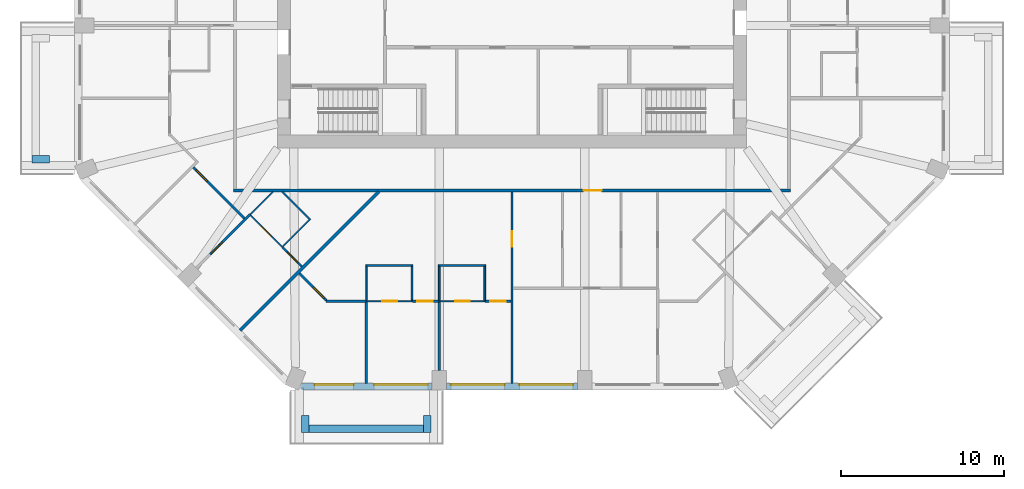
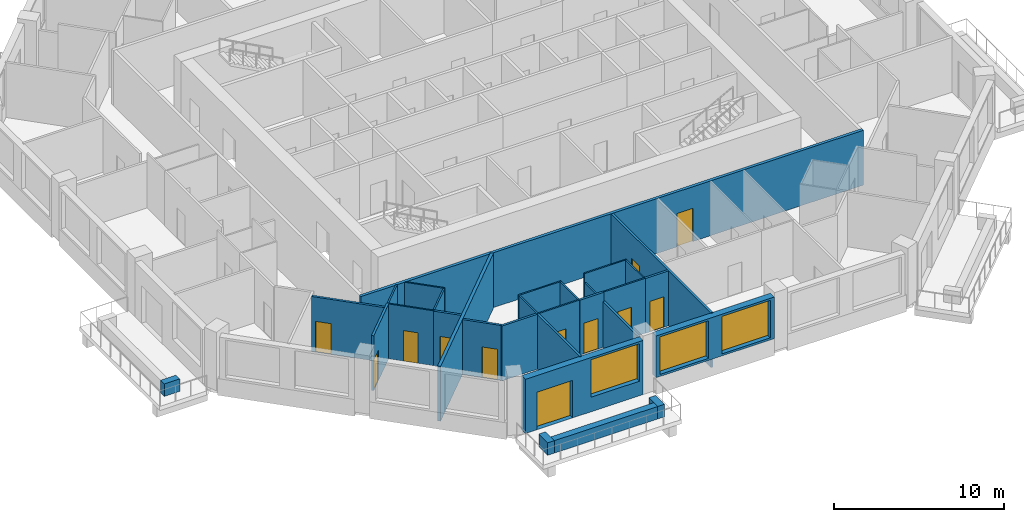
# One storey, part 3 of 12: 30 walls, 12 doors, 3 windows, 15 openings.
"""IFC4 building model written with IfcOpenShell, lengths in metres."""

from ifc_helpers import new_model, si_unit, direction, frame, frame_2d, origin, place, context, subcontext, project, spatial, rectangle, extrude, material, layer, layer_set, type_object, element, fill, save


model = new_model("IFC4")

# Units and contexts
model_context = context("Model", 3, precision=1e-05, world=origin(), true_north=direction((0.0, 1.0)))
body_context = subcontext(model_context, "Body", "Model", "MODEL_VIEW")
ifc_project = project(units=[si_unit("LENGTHUNIT", "METRE"), si_unit("AREAUNIT", "SQUARE_METRE"), si_unit("VOLUMEUNIT", "CUBIC_METRE"), si_unit("PLANEANGLEUNIT", "RADIAN"), si_unit("MASSUNIT", "GRAM", prefix="KILO")], contexts=[model_context])

# Site, building, storey
site_placement = place(None, origin())
site = spatial("IfcSite", under=ifc_project, at=site_placement, CompositionType="ELEMENT")
building_placement = place(site_placement, origin())
building = spatial("IfcBuilding", under=site, at=building_placement, Name="Msitu Wima Residences", CompositionType="ELEMENT")
storey_placement = place(building_placement, frame((0.0, 0.0, 119.10009765625)))
storey = spatial("IfcBuildingStorey", under=building, at=storey_placement, Name="L27", CompositionType="ELEMENT", Elevation=119.10009765625)

# Walls
ifc_material_1 = material(Name="Facing brick")
ifc_layer_1 = layer(ifc_material_1, 0.06494140625, Name="Facing brick")
ifc_material_2 = material(Name="Concrete C40/50", Category="concrete")
ifc_layer_2 = layer(ifc_material_2, 0.156005859375, Name="Concrete C40/50")
ifc_material_3 = material(Name="Waterproofing membrane")
ifc_layer_3 = layer(ifc_material_3, 0.00390625, Name="Waterproofing membrane")
ifc_material_4 = material(Name="Planting soil and planting")
ifc_layer_4 = layer(ifc_material_4, 0.22509765625, Name="Planting soil and planting")
ifc_layer_set_1 = layer_set([ifc_layer_1, ifc_layer_2, ifc_layer_3, ifc_layer_4], Name="Concrete C40/50")
wall_type_1 = type_object("IfcWallType", Name="Balcony planter PLANTER PL450", PredefinedType="USERDEFINED", material=ifc_layer_set_1)
wall_1_placement = place(storey_placement, frame((-28.39990234375, -12.680908203125, 0.0), z_axis=(0.0, 0.0, 1.0), x_axis=(-1.0, 0.0, 0.0)))
element("IfcWall", 1, at=wall_1_placement, inside=storey, type_object=wall_type_1, Name="Balcony planter W2 L27", ObjectType="PLANTER", PredefinedType="USERDEFINED", context=body_context, shape_type="SweptSolid", body=[
    extrude(rectangle(XDim=1.050048828125, YDim=0.449951171875, at=frame_2d((0.52490234375, 0.0))), origin(), (0.0, 0.0, 1.0), 0.89990234375),
])
wall_2_placement = place(storey_placement, frame((-12.455810546875, -29.22509765625, 0.0), z_axis=(0.0, 0.0, 1.0), x_axis=(1.0, 0.0, 0.0)))
element("IfcWall", 2, at=wall_2_placement, inside=storey, type_object=wall_type_1, Name="Balcony planter S0 L27", ObjectType="PLANTER", PredefinedType="USERDEFINED", context=body_context, shape_type="SweptSolid", body=[
    extrude(rectangle(XDim=7.037109375, YDim=0.449951171875, at=frame_2d((3.5185546875, 0.0))), origin(), (0.0, 0.0, 1.0), 0.89990234375),
])
for number, where, z_axis, x_axis, name in (
    (3, (-12.680908203125, -28.39990234375, 0.0), (0.0, 0.0, 1.0), (0.0, -1.0, 0.0), "Balcony planter S0 L27"),
    (4, (-5.193603515625, -28.39990234375, 0.0), (0.0, 0.0, 1.0), (0.0, -1.0, 0.0), "Balcony planter S0 L27"),
):
    element("IfcWall", number, at=place(storey_placement, frame(where, z_axis=z_axis, x_axis=x_axis)), inside=storey, type_object=wall_type_1, Name=name, ObjectType="PLANTER", PredefinedType="USERDEFINED", context=body_context, shape_type="SweptSolid", body=[
        extrude(rectangle(XDim=1.050048828125, YDim=0.449951171875, at=frame_2d((0.52490234375, 0.0))), origin(), (0.0, 0.0, 1.0), 0.89990234375),
    ])

# Wall, openings, door, window
ifc_material_5 = material(Name="Brick (red buff mix)", Category="masonry")
ifc_layer_5 = layer(ifc_material_5, 0.449951171875)
ifc_layer_set_2 = layer_set([ifc_layer_5], Name="Brick (red buff mix)")
wall_type_2 = type_object("IfcWallType", Name="Brick infill wall BW450", PredefinedType="SOLIDWALL", material=ifc_layer_set_2)
wall_3_placement = place(storey_placement, frame((-12.918701171875, -26.625, 0.0), z_axis=(0.0, 0.0, 1.0), x_axis=(1.0, 0.0, 0.0)))
wall_3 = element("IfcWall", 5, at=wall_3_placement, inside=storey, type_object=wall_type_2, Name="Brick infill wall L27 S0", PredefinedType="SOLIDWALL", context=body_context, shape_type="SweptSolid", body=[
    extrude(rectangle(XDim=8.0, YDim=0.449951171875, at=frame_2d((4.0, 0.0))), origin(), (0.0, 0.0, 1.0), 3.89990234375),
])
opening_1_placement = place(wall_3_placement, frame((0.800048828125, 0.0, 0.0)))
opening_1 = element("IfcOpeningElement", 6, at=opening_1_placement, cuts=wall_3, Name="Opening D27-29.005", PredefinedType="OPENING", context=body_context, shape_type="SweptSolid", body=[
    extrude(rectangle(XDim=2.39990234375, YDim=2.699951171875, at=frame_2d((1.199951171875, 1.35009765625))), frame((0.0, 0.23486328125, 0.0), z_axis=(0.0, -1.0, 0.0), x_axis=(1.0, 0.0, 0.0)), (0.0, 0.0, 1.0), 0.469970703125),
])
opening_2_placement = place(wall_3_placement, frame((4.4501953125, 0.0, 1.050048828125)))
opening_2 = element("IfcOpeningElement", 7, at=opening_2_placement, cuts=wall_3, Name="Opening W27-29.017", PredefinedType="OPENING", context=body_context, shape_type="SweptSolid", body=[
    extrude(rectangle(XDim=3.300048828125, YDim=2.699951171875, at=frame_2d((1.64990234375, 1.35009765625))), frame((0.0, 0.23486328125, 0.0), z_axis=(0.0, -1.0, 0.0), x_axis=(1.0, 0.0, 0.0)), (0.0, 0.0, 1.0), 0.469970703125),
])
ifc_material_6 = material(Name="Anodised aluminium, bronze finish, clear low-emissivity double glazing", Category="aluminium")
door_type_1 = type_object("IfcDoorType", Name="Balcony door D2400x2700", OperationType="SLIDING_TO_LEFT", PredefinedType="DOOR", material=ifc_material_6)
door_1_placement = place(opening_1_placement, origin())
door_1 = element("IfcDoor", 8, at=door_1_placement, inside=storey, type_object=door_type_1, Name="Balcony door L27 S0", OperationType="SINGLE_SWING_LEFT", OverallHeight=2.699951171875, OverallWidth=2.39990234375, PredefinedType="DOOR", context=body_context, shape_type="SweptSolid", body=[
    extrude(rectangle(XDim=2.39990234375, YDim=2.699951171875, at=frame_2d((1.199951171875, 1.35009765625))), frame((0.0, 0.1298828125, 0.0), z_axis=(0.0, -1.0, 0.0), x_axis=(1.0, 0.0, 0.0)), (0.0, 0.0, 1.0), 0.050048828125),
])
fill(opening_1, door_1)
window_type = type_object("IfcWindowType", Name="Window W3300x2700", PartitioningType="DOUBLE_PANEL_VERTICAL", PredefinedType="WINDOW", material=ifc_material_6)
window_1_placement = place(opening_2_placement, origin())
window_1 = element("IfcWindow", 9, at=window_1_placement, inside=storey, type_object=window_type, Name="Window L27 S0.2", OverallHeight=2.699951171875, OverallWidth=3.300048828125, PartitioningType="SINGLE_PANEL", PredefinedType="WINDOW", context=body_context, shape_type="SweptSolid", body=[
    extrude(rectangle(XDim=3.300048828125, YDim=2.699951171875, at=frame_2d((1.64990234375, 1.35009765625))), frame((0.0, 0.135009765625, 0.0), z_axis=(0.0, -1.0, 0.0), x_axis=(1.0, 0.0, 0.0)), (0.0, 0.0, 1.0), 0.06005859375),
])
fill(opening_2, window_1)

# Wall, openings, windows
wall_4_placement = place(storey_placement, frame((-4.0185546875, -26.625, 0.89990234375), z_axis=(0.0, 0.0, 1.0), x_axis=(1.0, 0.0, 0.0)))
wall_4 = element("IfcWall", 10, at=wall_4_placement, inside=storey, type_object=wall_type_2, Name="Brick infill wall L27 S1", PredefinedType="SOLIDWALL", context=body_context, shape_type="SweptSolid", body=[
    extrude(rectangle(XDim=8.037109375, YDim=0.449951171875, at=frame_2d((4.0185546875, 0.0))), origin(), (0.0, 0.0, 1.0), 3.0),
])
opening_3_placement = place(wall_4_placement, frame((0.2685546875, 0.0, 0.14990234375)))
opening_3 = element("IfcOpeningElement", 11, at=opening_3_placement, cuts=wall_4, Name="Opening W27-29.018", PredefinedType="OPENING", context=body_context, shape_type="SweptSolid", body=[
    extrude(rectangle(XDim=3.300048828125, YDim=2.699951171875, at=frame_2d((1.64990234375, 1.35009765625))), frame((0.0, 0.23486328125, 0.0), z_axis=(0.0, -1.0, 0.0), x_axis=(1.0, 0.0, 0.0)), (0.0, 0.0, 1.0), 0.469970703125),
])
opening_4_placement = place(wall_4_placement, frame((4.46875, 0.0, 0.14990234375)))
opening_4 = element("IfcOpeningElement", 12, at=opening_4_placement, cuts=wall_4, Name="Opening W27-29.019", PredefinedType="OPENING", context=body_context, shape_type="SweptSolid", body=[
    extrude(rectangle(XDim=3.300048828125, YDim=2.699951171875, at=frame_2d((1.64990234375, 1.35009765625))), frame((0.0, 0.23486328125, 0.0), z_axis=(0.0, -1.0, 0.0), x_axis=(1.0, 0.0, 0.0)), (0.0, 0.0, 1.0), 0.469970703125),
])
window_2_placement = place(opening_3_placement, origin())
window_2 = element("IfcWindow", 13, at=window_2_placement, inside=storey, type_object=window_type, Name="Window L27 S1.1", OverallHeight=2.699951171875, OverallWidth=3.300048828125, PartitioningType="SINGLE_PANEL", PredefinedType="WINDOW", context=body_context, shape_type="SweptSolid", body=[
    extrude(rectangle(XDim=3.300048828125, YDim=2.699951171875, at=frame_2d((1.64990234375, 1.35009765625))), frame((0.0, 0.135009765625, 0.0), z_axis=(0.0, -1.0, 0.0), x_axis=(1.0, 0.0, 0.0)), (0.0, 0.0, 1.0), 0.06005859375),
])
fill(opening_3, window_2)
window_3_placement = place(opening_4_placement, origin())
window_3 = element("IfcWindow", 14, at=window_3_placement, inside=storey, type_object=window_type, Name="Window L27 S1.2", OverallHeight=2.699951171875, OverallWidth=3.300048828125, PartitioningType="SINGLE_PANEL", PredefinedType="WINDOW", context=body_context, shape_type="SweptSolid", body=[
    extrude(rectangle(XDim=3.300048828125, YDim=2.699951171875, at=frame_2d((1.64990234375, 1.35009765625))), frame((0.0, 0.135009765625, 0.0), z_axis=(0.0, -1.0, 0.0), x_axis=(1.0, 0.0, 0.0)), (0.0, 0.0, 1.0), 0.06005859375),
])
fill(opening_4, window_3)

# Wall, opening, door
ifc_material_7 = material(Name="Plaster")
ifc_layer_6 = layer(ifc_material_7, 0.011962890625, Name="Plaster")
ifc_material_8 = material(Name="Concrete blockwork", Category="masonry")
ifc_layer_7 = layer(ifc_material_8, 0.176025390625, Name="Concrete blockwork")
ifc_layer_8 = layer(ifc_material_7, 0.011962890625, Name="Plaster")
ifc_layer_set_3 = layer_set([ifc_layer_6, ifc_layer_7, ifc_layer_8], Name="Concrete blockwork")
wall_type_3 = type_object("IfcWallType", Name="Corridor wall FW200", PredefinedType="PARTITIONING", material=ifc_layer_set_3)
wall_5_placement = place(storey_placement, frame((-17.10009765625, -14.60009765625, 0.0), z_axis=(0.0, 0.0, 1.0), x_axis=(1.0, 0.0, 0.0)))
wall_5 = element("IfcWall", 15, at=wall_5_placement, inside=storey, type_object=wall_type_3, Name="Corridor wall", PredefinedType="PARTITIONING", context=body_context, shape_type="SweptSolid", body=[
    extrude(rectangle(XDim=34.2001953125, YDim=0.199951171875, at=frame_2d((17.10009765625, 0.0))), origin(), (0.0, 0.0, 1.0), 3.949951171875),
])
opening_5_placement = place(wall_5_placement, frame((21.5, 0.0, 0.0)))
opening_5 = element("IfcOpeningElement", 16, at=opening_5_placement, cuts=wall_5, Name="Opening D27-29.010", PredefinedType="OPENING", context=body_context, shape_type="SweptSolid", body=[
    extrude(rectangle(XDim=1.10009765625, YDim=2.39990234375, at=frame_2d((0.550048828125, 1.199951171875))), frame((0.0, 0.10986328125, 0.0), z_axis=(0.0, -1.0, 0.0), x_axis=(1.0, 0.0, 0.0)), (0.0, 0.0, 1.0), 0.219970703125),
])
ifc_material_9 = material(Name="Timber flush door, fire resisting, self-closing", Category="wood")
door_type_2 = type_object("IfcDoorType", Name="Flat entrance door D01 1100x2400", OperationType="SINGLE_SWING_LEFT", PredefinedType="DOOR", material=ifc_material_9)
door_2_placement = place(opening_5_placement, origin())
door_2 = element("IfcDoor", 17, at=door_2_placement, inside=storey, type_object=door_type_2, Name="Flat entrance door", OperationType="SINGLE_SWING_LEFT", OverallHeight=2.39990234375, OverallWidth=1.10009765625, PredefinedType="DOOR", context=body_context, shape_type="SweptSolid", body=[
    extrude(rectangle(XDim=1.10009765625, YDim=2.39990234375, at=frame_2d((0.550048828125, 1.199951171875))), frame((0.0, 0.02490234375, 0.0), z_axis=(0.0, -1.0, 0.0), x_axis=(1.0, 0.0, 0.0)), (0.0, 0.0, 1.0), 0.050048828125),
])
fill(opening_5, door_2)

ifc_layer_9 = layer(ifc_material_7, 0.011962890625, Name="Plaster")
ifc_layer_10 = layer(ifc_material_8, 0.1259765625, Name="Concrete blockwork")
ifc_layer_11 = layer(ifc_material_7, 0.011962890625, Name="Plaster")
ifc_layer_set_4 = layer_set([ifc_layer_9, ifc_layer_10, ifc_layer_11], Name="Concrete blockwork")
wall_type_4 = type_object("IfcWallType", Name="Partition PW150", PredefinedType="PARTITIONING", material=ifc_layer_set_4)
wall_6_placement = place(storey_placement, frame((-18.517578125, -18.517578125, 0.0), z_axis=(0.0, 0.0, 1.0), x_axis=(0.707106781187, 0.707106781187, 0.0)))
wall_6 = element("IfcWall", 18, at=wall_6_placement, inside=storey, type_object=wall_type_4, Name="Partition", PredefinedType="PARTITIONING", context=body_context, shape_type="SweptSolid", body=[
    extrude(rectangle(XDim=3.4609375, YDim=0.14990234375, at=frame_2d((1.73046875, 0.0))), origin(), (0.0, 0.0, 1.0), 3.949951171875),
])
opening_6_placement = place(wall_6_placement, frame((0.0908203125, 0.0, 0.0)))
opening_6 = element("IfcOpeningElement", 19, at=opening_6_placement, cuts=wall_6, Name="Opening D27-29.065", PredefinedType="OPENING", context=body_context, shape_type="SweptSolid", body=[
    extrude(rectangle(XDim=0.949951171875, YDim=2.199951171875, at=frame_2d((0.47509765625, 1.10009765625))), frame((0.0, 0.0849609375, 0.0), z_axis=(0.0, -1.0, 0.0), x_axis=(1.0, 0.0, 0.0)), (0.0, 0.0, 1.0), 0.169921875),
])
ifc_material_10 = material(Name="Timber flush door", Category="wood")
door_type_3 = type_object("IfcDoorType", Name="Room door D12 950x2200", OperationType="SINGLE_SWING_LEFT", PredefinedType="DOOR", material=ifc_material_10)
door_3_placement = place(opening_6_placement, origin())
door_3 = element("IfcDoor", 20, at=door_3_placement, inside=storey, type_object=door_type_3, Name="Room door", OperationType="SINGLE_SWING_RIGHT", OverallHeight=2.199951171875, OverallWidth=0.949951171875, PredefinedType="DOOR", context=body_context, shape_type="SweptSolid", body=[
    extrude(rectangle(XDim=0.949951171875, YDim=2.199951171875, at=frame_2d((0.47509765625, 1.10009765625))), frame((0.0, 0.02490234375, 0.0), z_axis=(0.0, -1.0, 0.0), x_axis=(1.0, 0.0, 0.0)), (0.0, 0.0, 1.0), 0.050048828125),
])
fill(opening_6, door_3)

wall_7_placement = place(storey_placement, frame((-19.56298828125, -13.171875, 0.0), z_axis=(0.0, 0.0, 1.0), x_axis=(0.707106781187, -0.707106781187, 0.0)))
wall_7 = element("IfcWall", 21, at=wall_7_placement, inside=storey, type_object=wall_type_4, Name="Partition", PredefinedType="PARTITIONING", context=body_context, shape_type="SweptSolid", body=[
    extrude(rectangle(XDim=4.4443359375, YDim=0.14990234375, at=frame_2d((2.22216796875, 0.0))), origin(), (0.0, 0.0, 1.0), 3.949951171875),
])
opening_7_placement = place(wall_7_placement, frame((0.25, 0.0, 0.0)))
opening_7 = element("IfcOpeningElement", 22, at=opening_7_placement, cuts=wall_7, Name="Opening D27-29.062", PredefinedType="OPENING", context=body_context, shape_type="SweptSolid", body=[
    extrude(rectangle(XDim=0.949951171875, YDim=2.199951171875, at=frame_2d((0.47509765625, 1.10009765625))), frame((0.0, 0.0849609375, 0.0), z_axis=(0.0, -1.0, 0.0), x_axis=(1.0, 0.0, 0.0)), (0.0, 0.0, 1.0), 0.169921875),
])
door_4_placement = place(opening_7_placement, origin())
door_4 = element("IfcDoor", 23, at=door_4_placement, inside=storey, type_object=door_type_3, Name="Room door", OperationType="SINGLE_SWING_RIGHT", OverallHeight=2.199951171875, OverallWidth=0.949951171875, PredefinedType="DOOR", context=body_context, shape_type="SweptSolid", body=[
    extrude(rectangle(XDim=0.949951171875, YDim=2.199951171875, at=frame_2d((0.47509765625, 1.10009765625))), frame((0.0, 0.02490234375, 0.0), z_axis=(0.0, -1.0, 0.0), x_axis=(1.0, 0.0, 0.0)), (0.0, 0.0, 1.0), 0.050048828125),
])
fill(opening_7, door_4)

wall_8_placement = place(storey_placement, frame((-14.090576171875, -18.07861328125, 0.0), z_axis=(0.0, 0.0, 1.0), x_axis=(0.707106781187, -0.707106781187, 0.0)))
wall_8 = element("IfcWall", 24, at=wall_8_placement, inside=storey, type_object=wall_type_4, Name="Partition", PredefinedType="PARTITIONING", context=body_context, shape_type="SweptSolid", body=[
    extrude(rectangle(XDim=1.67431640625, YDim=0.14990234375, at=frame_2d((0.837158203125, 0.0))), origin(), (0.0, 0.0, 1.0), 3.949951171875),
])
opening_8_placement = place(wall_8_placement, frame((0.39990234375, 0.0, 0.0)))
opening_8 = element("IfcOpeningElement", 25, at=opening_8_placement, cuts=wall_8, Name="Opening D27-29.067", PredefinedType="OPENING", context=body_context, shape_type="SweptSolid", body=[
    extrude(rectangle(XDim=0.949951171875, YDim=2.199951171875, at=frame_2d((0.47509765625, 1.10009765625))), frame((0.0, 0.0849609375, 0.0), z_axis=(0.0, -1.0, 0.0), x_axis=(1.0, 0.0, 0.0)), (0.0, 0.0, 1.0), 0.169921875),
])
door_5_placement = place(opening_8_placement, origin())
door_5 = element("IfcDoor", 26, at=door_5_placement, inside=storey, type_object=door_type_3, Name="Room door", OperationType="SINGLE_SWING_LEFT", OverallHeight=2.199951171875, OverallWidth=0.949951171875, PredefinedType="DOOR", context=body_context, shape_type="SweptSolid", body=[
    extrude(rectangle(XDim=0.949951171875, YDim=2.199951171875, at=frame_2d((0.47509765625, 1.10009765625))), frame((0.0, 0.02490234375, 0.0), z_axis=(0.0, -1.0, 0.0), x_axis=(1.0, 0.0, 0.0)), (0.0, 0.0, 1.0), 0.050048828125),
])
fill(opening_8, door_5)

wall_9_placement = place(storey_placement, frame((-13.048095703125, -19.686767578125, 0.0), z_axis=(0.0, 0.0, 1.0), x_axis=(0.707106781187, -0.707106781187, 0.0)))
wall_9 = element("IfcWall", 27, at=wall_9_placement, inside=storey, type_object=wall_type_4, Name="Partition", PredefinedType="PARTITIONING", context=body_context, shape_type="SweptSolid", body=[
    extrude(rectangle(XDim=2.347900390625, YDim=0.14990234375, at=frame_2d((1.173828125, 0.0))), origin(), (0.0, 0.0, 1.0), 3.949951171875),
])
opening_9_placement = place(wall_9_placement, frame((1.199951171875, 0.0, 0.0)))
opening_9 = element("IfcOpeningElement", 28, at=opening_9_placement, cuts=wall_9, Name="Opening D27-29.084", PredefinedType="OPENING", context=body_context, shape_type="SweptSolid", body=[
    extrude(rectangle(XDim=0.949951171875, YDim=2.199951171875, at=frame_2d((0.47509765625, 1.10009765625))), frame((0.0, 0.0849609375, 0.0), z_axis=(0.0, -1.0, 0.0), x_axis=(1.0, 0.0, 0.0)), (0.0, 0.0, 1.0), 0.169921875),
])
door_6_placement = place(opening_9_placement, origin())
door_6 = element("IfcDoor", 29, at=door_6_placement, inside=storey, type_object=door_type_3, Name="Room door", OperationType="SINGLE_SWING_RIGHT", OverallHeight=2.199951171875, OverallWidth=0.949951171875, PredefinedType="DOOR", context=body_context, shape_type="SweptSolid", body=[
    extrude(rectangle(XDim=0.949951171875, YDim=2.199951171875, at=frame_2d((0.47509765625, 1.10009765625))), frame((0.0, 0.02490234375, 0.0), z_axis=(0.0, -1.0, 0.0), x_axis=(1.0, 0.0, 0.0)), (0.0, 0.0, 1.0), 0.050048828125),
])
fill(opening_9, door_6)

# Walls
wall_10_placement = place(storey_placement, frame((-11.409912109375, -21.39990234375, 0.0), z_axis=(0.0, 0.0, 1.0), x_axis=(1.0, 0.0, 0.0)))
element("IfcWall", 30, at=wall_10_placement, inside=storey, type_object=wall_type_4, Name="Partition", PredefinedType="PARTITIONING", context=body_context, shape_type="SweptSolid", body=[
    extrude(rectangle(XDim=2.45263671875, YDim=0.14990234375, at=frame_2d((1.226318359375, 0.0))), origin(), (0.0, 0.0, 1.0), 3.949951171875),
])
wall_11_placement = place(storey_placement, frame((-8.937255859375, -26.455078125, 0.0), z_axis=(0.0, 0.0, 1.0), x_axis=(0.0, 1.0, 0.0)))
element("IfcWall", 31, at=wall_11_placement, inside=storey, type_object=wall_type_4, Name="Partition", PredefinedType="PARTITIONING", context=body_context, shape_type="SweptSolid", body=[
    extrude(rectangle(XDim=5.0751953125, YDim=0.14990234375, at=frame_2d((2.53759765625, 0.0))), origin(), (0.0, 0.0, 1.0), 3.949951171875),
])

# Wall, opening, door
wall_12_placement = place(storey_placement, frame((-6.1171875, -21.39990234375, 0.0), z_axis=(0.0, 0.0, 1.0), x_axis=(1.0, 0.0, 0.0)))
wall_12 = element("IfcWall", 32, at=wall_12_placement, inside=storey, type_object=wall_type_4, Name="Partition", PredefinedType="PARTITIONING", context=body_context, shape_type="SweptSolid", body=[
    extrude(rectangle(XDim=1.628662109375, YDim=0.14990234375, at=frame_2d((0.814453125, 0.0))), origin(), (0.0, 0.0, 1.0), 3.949951171875),
])
opening_10_placement = place(wall_12_placement, frame((0.300048828125, 0.0, 0.0)))
opening_10 = element("IfcOpeningElement", 33, at=opening_10_placement, cuts=wall_12, Name="Opening D27-29.079", PredefinedType="OPENING", context=body_context, shape_type="SweptSolid", body=[
    extrude(rectangle(XDim=0.949951171875, YDim=2.199951171875, at=frame_2d((0.47509765625, 1.10009765625))), frame((0.0, 0.0849609375, 0.0), z_axis=(0.0, -1.0, 0.0), x_axis=(1.0, 0.0, 0.0)), (0.0, 0.0, 1.0), 0.169921875),
])
door_7_placement = place(opening_10_placement, origin())
door_7 = element("IfcDoor", 34, at=door_7_placement, inside=storey, type_object=door_type_3, Name="Room door", OperationType="SINGLE_SWING_LEFT", OverallHeight=2.199951171875, OverallWidth=0.949951171875, PredefinedType="DOOR", context=body_context, shape_type="SweptSolid", body=[
    extrude(rectangle(XDim=0.949951171875, YDim=2.199951171875, at=frame_2d((0.47509765625, 1.10009765625))), frame((0.0, 0.02490234375, 0.0), z_axis=(0.0, -1.0, 0.0), x_axis=(1.0, 0.0, 0.0)), (0.0, 0.0, 1.0), 0.050048828125),
])
fill(opening_10, door_7)

# Wall
wall_13_placement = place(storey_placement, frame((-4.46875, -25.64990234375, 0.0), z_axis=(0.0, 0.0, 1.0), x_axis=(0.0, 1.0, 0.0)))
element("IfcWall", 35, at=wall_13_placement, inside=storey, type_object=wall_type_4, Name="Partition", PredefinedType="PARTITIONING", context=body_context, shape_type="SweptSolid", body=[
    extrude(rectangle(XDim=4.27001953125, YDim=0.14990234375, at=frame_2d((2.135009765625, 0.0))), origin(), (0.0, 0.0, 1.0), 3.2998046875),
])

# Wall, opening, door
wall_14_placement = place(storey_placement, frame((-1.648681640625, -21.39990234375, 0.0), z_axis=(0.0, 0.0, 1.0), x_axis=(1.0, 0.0, 0.0)))
wall_14 = element("IfcWall", 36, at=wall_14_placement, inside=storey, type_object=wall_type_4, Name="Partition", PredefinedType="PARTITIONING", context=body_context, shape_type="SweptSolid", body=[
    extrude(rectangle(XDim=1.57373046875, YDim=0.14990234375, at=frame_2d((0.786865234375, 0.0))), origin(), (0.0, 0.0, 1.0), 3.949951171875),
])
opening_11_placement = place(wall_14_placement, frame((0.300048828125, 0.0, 0.0)))
opening_11 = element("IfcOpeningElement", 37, at=opening_11_placement, cuts=wall_14, Name="Opening D27-29.082", PredefinedType="OPENING", context=body_context, shape_type="SweptSolid", body=[
    extrude(rectangle(XDim=0.949951171875, YDim=2.199951171875, at=frame_2d((0.47509765625, 1.10009765625))), frame((0.0, 0.0849609375, 0.0), z_axis=(0.0, -1.0, 0.0), x_axis=(1.0, 0.0, 0.0)), (0.0, 0.0, 1.0), 0.169921875),
])
door_8_placement = place(opening_11_placement, origin())
door_8 = element("IfcDoor", 38, at=door_8_placement, inside=storey, type_object=door_type_3, Name="Room door", OperationType="SINGLE_SWING_LEFT", OverallHeight=2.199951171875, OverallWidth=0.949951171875, PredefinedType="DOOR", context=body_context, shape_type="SweptSolid", body=[
    extrude(rectangle(XDim=0.949951171875, YDim=2.199951171875, at=frame_2d((0.47509765625, 1.10009765625))), frame((0.0, 0.02490234375, 0.0), z_axis=(0.0, -1.0, 0.0), x_axis=(1.0, 0.0, 0.0)), (0.0, 0.0, 1.0), 0.050048828125),
])
fill(opening_11, door_8)

wall_15_placement = place(storey_placement, frame((0.0, -26.455078125, 0.0), z_axis=(0.0, 0.0, 1.0), x_axis=(0.0, 1.0, 0.0)))
wall_15 = element("IfcWall", 39, at=wall_15_placement, inside=storey, type_object=wall_type_4, Name="Partition", PredefinedType="PARTITIONING", context=body_context, shape_type="SweptSolid", body=[
    extrude(rectangle(XDim=11.755126953125, YDim=0.14990234375, at=frame_2d((5.87744140625, 0.0))), origin(), (0.0, 0.0, 1.0), 3.949951171875),
])
opening_12_placement = place(wall_15_placement, frame((8.39990234375, 0.0, 0.0)))
opening_12 = element("IfcOpeningElement", 40, at=opening_12_placement, cuts=wall_15, Name="Opening D27-29.078", PredefinedType="OPENING", context=body_context, shape_type="SweptSolid", body=[
    extrude(rectangle(XDim=0.949951171875, YDim=2.199951171875, at=frame_2d((0.47509765625, 1.10009765625))), frame((0.0, 0.0849609375, 0.0), z_axis=(0.0, -1.0, 0.0), x_axis=(1.0, 0.0, 0.0)), (0.0, 0.0, 1.0), 0.169921875),
])
door_9_placement = place(opening_12_placement, origin())
door_9 = element("IfcDoor", 41, at=door_9_placement, inside=storey, type_object=door_type_3, Name="Room door", OperationType="SINGLE_SWING_LEFT", OverallHeight=2.199951171875, OverallWidth=0.949951171875, PredefinedType="DOOR", context=body_context, shape_type="SweptSolid", body=[
    extrude(rectangle(XDim=0.949951171875, YDim=2.199951171875, at=frame_2d((0.47509765625, 1.10009765625))), frame((0.0, 0.02490234375, 0.0), z_axis=(0.0, -1.0, 0.0), x_axis=(1.0, 0.0, 0.0)), (0.0, 0.0, 1.0), 0.050048828125),
])
fill(opening_12, door_9)

# Walls
ifc_layer_12 = layer(ifc_material_7, 0.011962890625, Name="Plaster")
ifc_material_11 = material(Name="Dense concrete blockwork", Category="masonry")
ifc_layer_13 = layer(ifc_material_11, 0.176025390625, Name="Dense concrete blockwork")
ifc_layer_14 = layer(ifc_material_7, 0.011962890625, Name="Plaster")
ifc_layer_set_5 = layer_set([ifc_layer_12, ifc_layer_13, ifc_layer_14], Name="Dense concrete blockwork")
wall_type_5 = type_object("IfcWallType", Name="Party wall PW200", PredefinedType="PARTITIONING", material=ifc_layer_set_5)
wall_16_placement = place(storey_placement, frame((-16.693359375, -23.1904296875, 0.0), z_axis=(0.0, 0.0, 1.0), x_axis=(0.707106781187, 0.707106781187, 0.0)))
element("IfcWall", 42, at=wall_16_placement, inside=storey, type_object=wall_type_5, Name="Party wall", PredefinedType="PARTITIONING", context=body_context, shape_type="SweptSolid", body=[
    extrude(rectangle(XDim=12.048828125, YDim=0.199951171875, at=frame_2d((6.0244140625, 0.0))), origin(), (0.0, 0.0, 1.0), 3.949951171875),
])
ifc_material_12 = material(Name="Ceramic tiles")
ifc_layer_15 = layer(ifc_material_12, 0.008056640625, Name="Ceramic tiles")
ifc_material_13 = material(Name="Moisture-resistant board")
ifc_layer_16 = layer(ifc_material_13, 0.012451171875, Name="Moisture-resistant board")
ifc_material_14 = material(Name="Light-gauge stud framing with mineral wool")
ifc_layer_17 = layer(ifc_material_14, 0.06689453125, Name="Light-gauge stud framing with mineral wool")
ifc_layer_18 = layer(ifc_material_13, 0.012451171875, Name="Moisture-resistant board")
ifc_layer_set_6 = layer_set([ifc_layer_15, ifc_layer_16, ifc_layer_17, ifc_layer_18], Name="Light-gauge stud framing with mineral wool")
wall_type_6 = type_object("IfcWallType", Name="Wet wall PW100", PredefinedType="PARTITIONING", material=ifc_layer_set_6)
wall_17_placement = place(storey_placement, frame((-16.0703125, -16.0703125, 0.0), z_axis=(0.0, 0.0, 1.0), x_axis=(0.707106781187, 0.707106781187, 0.0)))
element("IfcWall", 43, at=wall_17_placement, inside=storey, type_object=wall_type_6, Name="Wet wall", PredefinedType="PARTITIONING", context=body_context, shape_type="SweptSolid", body=[
    extrude(rectangle(XDim=1.9794921875, YDim=0.10009765625, at=frame_2d((0.98974609375, 0.0))), origin(), (0.0, 0.0, 1.0), 3.949951171875),
])

# Wall, opening, door
wall_18_placement = place(storey_placement, frame((-16.031494140625, -16.1376953125, 0.0), z_axis=(0.0, 0.0, 1.0), x_axis=(0.707106781187, -0.707106781187, 0.0)))
wall_18 = element("IfcWall", 44, at=wall_18_placement, inside=storey, type_object=wall_type_6, Name="Wet wall", PredefinedType="PARTITIONING", context=body_context, shape_type="SweptSolid", body=[
    extrude(rectangle(XDim=2.744873046875, YDim=0.10009765625, at=frame_2d((1.37255859375, 0.0))), origin(), (0.0, 0.0, 1.0), 3.949951171875),
])
opening_13_placement = place(wall_18_placement, frame((0.89990234375, 0.0, 0.0)))
opening_13 = element("IfcOpeningElement", 45, at=opening_13_placement, cuts=wall_18, Name="Opening D27-29.066", PredefinedType="OPENING", context=body_context, shape_type="SweptSolid", body=[
    extrude(rectangle(XDim=0.89990234375, YDim=2.199951171875, at=frame_2d((0.449951171875, 1.10009765625))), frame((0.0, 0.06005859375, 0.0), z_axis=(0.0, -1.0, 0.0), x_axis=(1.0, 0.0, 0.0)), (0.0, 0.0, 1.0), 0.1201171875),
])
ifc_material_15 = material(Name="Timber flush door, moisture resistant", Category="wood")
door_type_4 = type_object("IfcDoorType", Name="Bathroom door D03 900x2200", OperationType="SINGLE_SWING_LEFT", PredefinedType="DOOR", material=ifc_material_15)
door_10_placement = place(opening_13_placement, origin())
door_10 = element("IfcDoor", 46, at=door_10_placement, inside=storey, type_object=door_type_4, Name="Bathroom door", OperationType="SINGLE_SWING_RIGHT", OverallHeight=2.199951171875, OverallWidth=0.89990234375, PredefinedType="DOOR", context=body_context, shape_type="SweptSolid", body=[
    extrude(rectangle(XDim=0.89990234375, YDim=2.199951171875, at=frame_2d((0.449951171875, 1.10009765625))), frame((0.0, 0.02490234375, 0.0), z_axis=(0.0, -1.0, 0.0), x_axis=(1.0, 0.0, 0.0)), (0.0, 0.0, 1.0), 0.050048828125),
])
fill(opening_13, door_10)

# Walls
wall_19_placement = place(storey_placement, frame((-14.104248046875, -14.670654296875, 0.0), z_axis=(0.0, 0.0, 1.0), x_axis=(0.707056944574, -0.707156614287, 0.0)))
element("IfcWall", 47, at=wall_19_placement, inside=storey, type_object=wall_type_6, Name="Wet wall", PredefinedType="PARTITIONING", context=body_context, shape_type="SweptSolid", body=[
    extrude(rectangle(XDim=2.449462890625, YDim=0.10009765625, at=frame_2d((1.224609375, 0.0))), origin(), (0.0, 0.0, 1.0), 3.949951171875),
])
wall_20_placement = place(storey_placement, frame((-14.051513671875, -18.011474609375, 0.0), z_axis=(0.0, 0.0, 1.0), x_axis=(0.707106781187, 0.707106781187, 0.0)))
element("IfcWall", 48, at=wall_20_placement, inside=storey, type_object=wall_type_6, Name="Wet wall", PredefinedType="PARTITIONING", context=body_context, shape_type="SweptSolid", body=[
    extrude(rectangle(XDim=2.27490234375, YDim=0.10009765625, at=frame_2d((1.137451171875, 0.0))), origin(), (0.0, 0.0, 1.0), 3.949951171875),
])

# Wall, opening, door
wall_21_placement = place(storey_placement, frame((-8.957275390625, -21.39990234375, 0.0), z_axis=(0.0, 0.0, 1.0), x_axis=(1.0, 0.0, 0.0)))
wall_21 = element("IfcWall", 49, at=wall_21_placement, inside=storey, type_object=wall_type_6, Name="Wet wall", PredefinedType="PARTITIONING", context=body_context, shape_type="SweptSolid", body=[
    extrude(rectangle(XDim=2.840087890625, YDim=0.10009765625, at=frame_2d((1.419921875, 0.0))), origin(), (0.0, 0.0, 1.0), 3.949951171875),
])
opening_14_placement = place(wall_21_placement, frame((1.0, 0.0, 0.0)))
opening_14 = element("IfcOpeningElement", 50, at=opening_14_placement, cuts=wall_21, Name="Opening D27-29.080", PredefinedType="OPENING", context=body_context, shape_type="SweptSolid", body=[
    extrude(rectangle(XDim=0.89990234375, YDim=2.199951171875, at=frame_2d((0.449951171875, 1.10009765625))), frame((0.0, 0.06005859375, 0.0), z_axis=(0.0, -1.0, 0.0), x_axis=(1.0, 0.0, 0.0)), (0.0, 0.0, 1.0), 0.1201171875),
])
door_11_placement = place(opening_14_placement, origin())
door_11 = element("IfcDoor", 51, at=door_11_placement, inside=storey, type_object=door_type_4, Name="Bathroom door", OperationType="SINGLE_SWING_RIGHT", OverallHeight=2.199951171875, OverallWidth=0.89990234375, PredefinedType="DOOR", context=body_context, shape_type="SweptSolid", body=[
    extrude(rectangle(XDim=0.89990234375, YDim=2.199951171875, at=frame_2d((0.449951171875, 1.10009765625))), frame((0.0, 0.02490234375, 0.0), z_axis=(0.0, -1.0, 0.0), x_axis=(1.0, 0.0, 0.0)), (0.0, 0.0, 1.0), 0.050048828125),
])
fill(opening_14, door_11)

# Walls
wall_22_placement = place(storey_placement, frame((-8.937255859375, -21.3798828125, 0.0), z_axis=(0.0, 0.0, 1.0), x_axis=(0.0, 1.0, 0.0)))
element("IfcWall", 52, at=wall_22_placement, inside=storey, type_object=wall_type_6, Name="Wet wall", PredefinedType="PARTITIONING", context=body_context, shape_type="SweptSolid", body=[
    extrude(rectangle(XDim=2.1298828125, YDim=0.10009765625, at=frame_2d((1.06494140625, 0.0))), origin(), (0.0, 0.0, 1.0), 3.949951171875),
])
wall_23_placement = place(storey_placement, frame((-8.9873046875, -19.199951171875, 0.0), z_axis=(0.0, 0.0, 1.0), x_axis=(1.0, 0.0, 0.0)))
element("IfcWall", 53, at=wall_23_placement, inside=storey, type_object=wall_type_6, Name="Wet wall", PredefinedType="PARTITIONING", context=body_context, shape_type="SweptSolid", body=[
    extrude(rectangle(XDim=2.900146484375, YDim=0.10009765625, at=frame_2d((1.4501953125, 0.0))), origin(), (0.0, 0.0, 1.0), 3.949951171875),
])
wall_24_placement = place(storey_placement, frame((-6.13720703125, -21.324951171875, 0.0), z_axis=(0.0, 0.0, 1.0), x_axis=(0.0, 1.0, 0.0)))
element("IfcWall", 54, at=wall_24_placement, inside=storey, type_object=wall_type_6, Name="Wet wall", PredefinedType="PARTITIONING", context=body_context, shape_type="SweptSolid", body=[
    extrude(rectangle(XDim=2.074951171875, YDim=0.10009765625, at=frame_2d((1.03759765625, 0.0))), origin(), (0.0, 0.0, 1.0), 3.949951171875),
])

# Wall, opening, door
wall_25_placement = place(storey_placement, frame((-4.488525390625, -21.39990234375, 0.0), z_axis=(0.0, 0.0, 1.0), x_axis=(1.0, 0.0, 0.0)))
wall_25 = element("IfcWall", 55, at=wall_25_placement, inside=storey, type_object=wall_type_6, Name="Wet wall", PredefinedType="PARTITIONING", context=body_context, shape_type="SweptSolid", body=[
    extrude(rectangle(XDim=2.83984375, YDim=0.10009765625, at=frame_2d((1.419921875, 0.0))), origin(), (0.0, 0.0, 1.0), 3.949951171875),
])
opening_15_placement = place(wall_25_placement, frame((1.0, 0.0, 0.0)))
opening_15 = element("IfcOpeningElement", 56, at=opening_15_placement, cuts=wall_25, Name="Opening D27-29.083", PredefinedType="OPENING", context=body_context, shape_type="SweptSolid", body=[
    extrude(rectangle(XDim=0.89990234375, YDim=2.199951171875, at=frame_2d((0.449951171875, 1.10009765625))), frame((0.0, 0.06005859375, 0.0), z_axis=(0.0, -1.0, 0.0), x_axis=(1.0, 0.0, 0.0)), (0.0, 0.0, 1.0), 0.1201171875),
])
door_12_placement = place(opening_15_placement, origin())
door_12 = element("IfcDoor", 57, at=door_12_placement, inside=storey, type_object=door_type_4, Name="Bathroom door", OperationType="SINGLE_SWING_RIGHT", OverallHeight=2.199951171875, OverallWidth=0.89990234375, PredefinedType="DOOR", context=body_context, shape_type="SweptSolid", body=[
    extrude(rectangle(XDim=0.89990234375, YDim=2.199951171875, at=frame_2d((0.449951171875, 1.10009765625))), frame((0.0, 0.02490234375, 0.0), z_axis=(0.0, -1.0, 0.0), x_axis=(1.0, 0.0, 0.0)), (0.0, 0.0, 1.0), 0.050048828125),
])
fill(opening_15, door_12)

# Walls
wall_26_placement = place(storey_placement, frame((-4.46875, -21.3798828125, 0.0), z_axis=(0.0, 0.0, 1.0), x_axis=(0.0, 1.0, 0.0)))
element("IfcWall", 58, at=wall_26_placement, inside=storey, type_object=wall_type_6, Name="Wet wall", PredefinedType="PARTITIONING", context=body_context, shape_type="SweptSolid", body=[
    extrude(rectangle(XDim=2.1298828125, YDim=0.10009765625, at=frame_2d((1.06494140625, 0.0))), origin(), (0.0, 0.0, 1.0), 3.2998046875),
])
wall_27_placement = place(storey_placement, frame((-4.5185546875, -19.199951171875, 0.0), z_axis=(0.0, 0.0, 1.0), x_axis=(1.0, 0.0, 0.0)))
element("IfcWall", 59, at=wall_27_placement, inside=storey, type_object=wall_type_6, Name="Wet wall", PredefinedType="PARTITIONING", context=body_context, shape_type="SweptSolid", body=[
    extrude(rectangle(XDim=2.89990234375, YDim=0.10009765625, at=frame_2d((1.449951171875, 0.0))), origin(), (0.0, 0.0, 1.0), 3.949951171875),
])
wall_28_placement = place(storey_placement, frame((-1.668701171875, -21.35009765625, 0.0), z_axis=(0.0, 0.0, 1.0), x_axis=(0.0, 1.0, 0.0)))
element("IfcWall", 60, at=wall_28_placement, inside=storey, type_object=wall_type_6, Name="Wet wall", PredefinedType="PARTITIONING", context=body_context, shape_type="SweptSolid", body=[
    extrude(rectangle(XDim=2.10009765625, YDim=0.10009765625, at=frame_2d((1.050048828125, 0.0))), origin(), (0.0, 0.0, 1.0), 3.949951171875),
])

save(model, "model.ifc")
